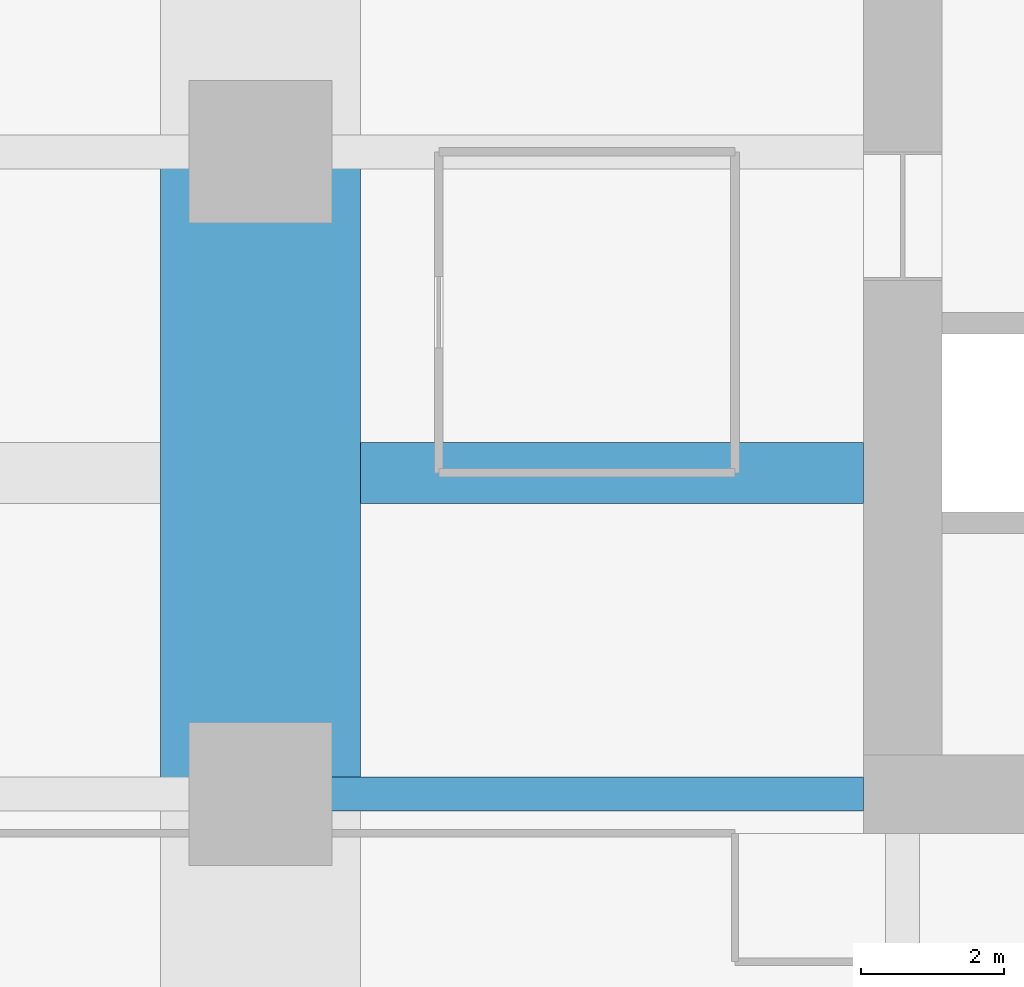
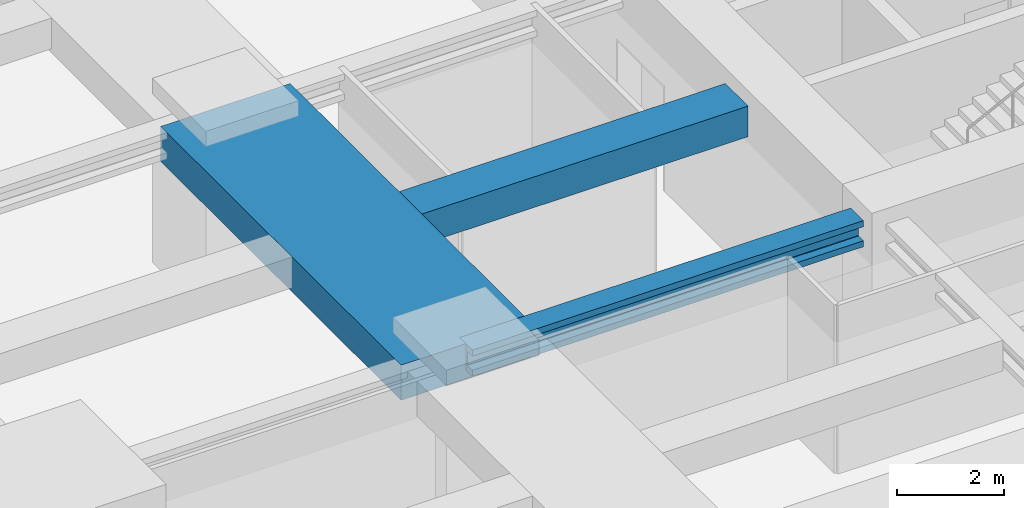
# One storey, part 11 of 45: 3 beams.
"""IFC4 building model written with IfcOpenShell, lengths in metres."""

from ifc_helpers import new_model, si_unit, direction, frame, origin, origin_2d, place, context, subcontext, project, spatial, rectangle, i_section, extrude, material, material_profile, profile_set, type_object, element, save


model = new_model("IFC4")

# Units and contexts
model_context = context("Model", 3, precision=1e-05, world=origin(), true_north=direction((0.0, 1.0)))
body_context = subcontext(model_context, "Body", "Model", "MODEL_VIEW")
ifc_project = project(units=[si_unit("LENGTHUNIT", "METRE"), si_unit("AREAUNIT", "SQUARE_METRE"), si_unit("VOLUMEUNIT", "CUBIC_METRE"), si_unit("PLANEANGLEUNIT", "RADIAN"), si_unit("MASSUNIT", "GRAM", prefix="KILO")], contexts=[model_context])

# Site, building, storey
site_placement = place(None, origin())
site = spatial("IfcSite", under=ifc_project, at=site_placement, CompositionType="ELEMENT")
building_placement = place(site_placement, origin())
building = spatial("IfcBuilding", under=site, at=building_placement, Name="Zorevar Civic Tower", CompositionType="ELEMENT")
storey_placement = place(building_placement, frame((0.0, 0.0, 153.0)))
storey = spatial("IfcBuildingStorey", under=building, at=storey_placement, Name="L37", CompositionType="ELEMENT", Elevation=153.0)

# Beams
ifc_material_1 = material(Name="Concrete C50/60", Category="concrete")
ifc_material_profile_1 = material_profile(ifc_material_1, rectangle(XDim=2.800048828125, YDim=0.800048828125, at=origin_2d()), Name="RC 2800x800")
ifc_profile_set_1 = profile_set([ifc_material_profile_1], Name="Concrete C50/60")
beam_type_1 = type_object("IfcBeamType", Name="Beam RC 2800x800", PredefinedType="BEAM", material=ifc_profile_set_1)
beam_1_placement = place(storey_placement, frame((9.0, 18.0, 3.449951171875), z_axis=(0.0, 1.0, 0.0), x_axis=(-1.0, 0.0, 0.0)))
element("IfcBeam", 1, at=beam_1_placement, inside=storey, type_object=beam_type_1, Name="Girder L38", PredefinedType="BEAM", context=body_context, shape_type="SweptSolid", body=[
    extrude(rectangle(XDim=2.800048828125, YDim=0.800048828125, at=origin_2d()), origin(), (0.0, 0.0, 1.0), 9.0),
])
ifc_material_2 = material(Name="Concrete C50/60", Category="concrete")
ifc_material_profile_2 = material_profile(ifc_material_2, rectangle(XDim=0.85009765625, YDim=0.699951171875, at=origin_2d()), Name="RC 850x700")
ifc_profile_set_2 = profile_set([ifc_material_profile_2], Name="Concrete C50/60")
beam_type_2 = type_object("IfcBeamType", Name="Beam RC 850x700", PredefinedType="BEAM", material=ifc_profile_set_2)
beam_2_placement = place(storey_placement, frame((10.39990234375, 22.5, 3.5), z_axis=(1.0, 0.0, 0.0), x_axis=(0.0, 1.0, 0.0)))
element("IfcBeam", 2, at=beam_2_placement, inside=storey, type_object=beam_type_2, Name="Secondary beam L38", PredefinedType="BEAM", context=body_context, shape_type="SweptSolid", body=[
    extrude(rectangle(XDim=0.85009765625, YDim=0.699951171875, at=origin_2d()), origin(), (0.0, 0.0, 1.0), 7.050048828125),
])
ifc_material_3 = material(Name="Steel S460M (HISTAR 460)", Category="steel")
ifc_material_profile_3 = material_profile(ifc_material_3, i_section(OverallWidth=0.47607421875, OverallDepth=0.60009765625, WebThickness=0.10009765625, FlangeThickness=0.139892578125, FilletRadius=0.014892578125, at=origin_2d()), Name="HD 400x1299")
ifc_profile_set_3 = profile_set([ifc_material_profile_3], Name="Steel S460M (HISTAR 460)")
beam_type_3 = type_object("IfcBeamType", Name="Outrigger chord HD 400x1299", PredefinedType="BEAM", material=ifc_profile_set_3)
beam_3_placement = place(storey_placement, frame((9.0, 18.0, 3.550048828125), z_axis=(1.0, 0.0, 0.0), x_axis=(0.0, 1.0, 0.0)))
element("IfcBeam", 3, at=beam_3_placement, inside=storey, type_object=beam_type_3, Name="Outrigger chord L38", PredefinedType="BEAM", context=body_context, shape_type="SweptSolid", body=[
    extrude(i_section(OverallWidth=0.47607421875, OverallDepth=0.60009765625, WebThickness=0.10009765625, FlangeThickness=0.139892578125, FilletRadius=0.014892578125, at=origin_2d()), origin(), (0.0, 0.0, 1.0), 8.449951171875),
])

save(model, "model.ifc")
